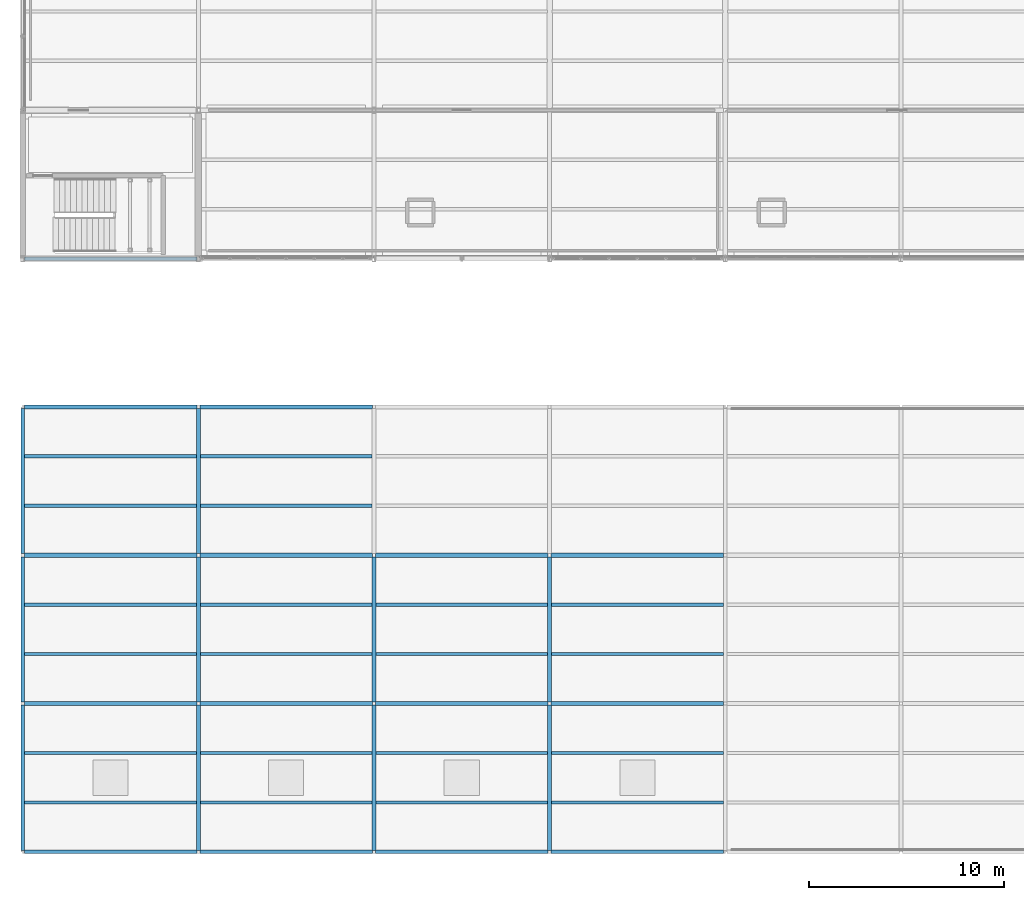
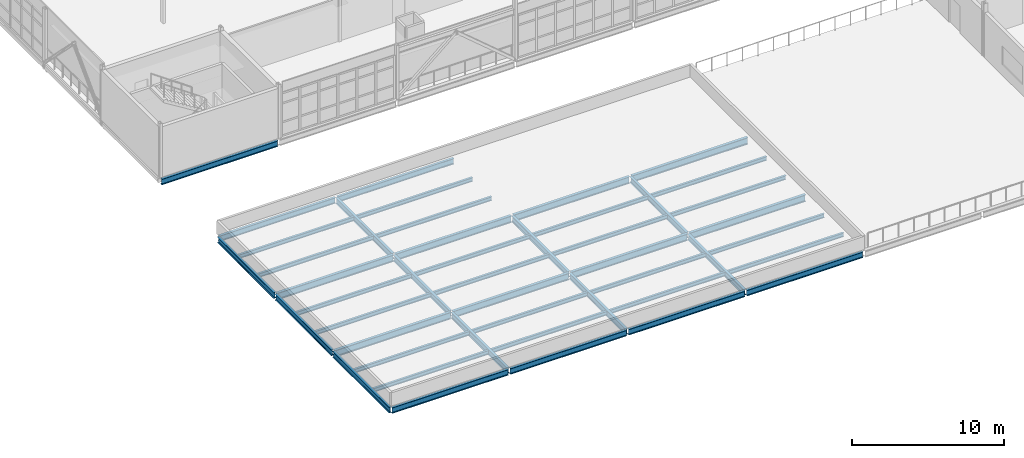
# One storey, part 25 of 166: 45 beams.
"""IFC4 building model written with IfcOpenShell, lengths in metres."""

from ifc_helpers import new_model, si_unit, direction, frame, origin, origin_2d, place, context, subcontext, project, spatial, i_section, extrude, material, material_profile, profile_set, type_object, element, save


model = new_model("IFC4")

# Units and contexts
model_context = context("Model", 3, precision=1e-05, world=origin(), true_north=direction((0.0, 1.0)))
body_context = subcontext(model_context, "Body", "Model", "MODEL_VIEW")
ifc_project = project(units=[si_unit("LENGTHUNIT", "METRE"), si_unit("AREAUNIT", "SQUARE_METRE"), si_unit("VOLUMEUNIT", "CUBIC_METRE"), si_unit("PLANEANGLEUNIT", "RADIAN"), si_unit("MASSUNIT", "GRAM", prefix="KILO")], contexts=[model_context])

# Site, building, storey
site_placement = place(None, origin())
site = spatial("IfcSite", under=ifc_project, at=site_placement, CompositionType="ELEMENT")
building_placement = place(site_placement, origin())
building = spatial("IfcBuilding", under=site, at=building_placement, Name="Caisbarro Railhouse Central Library", CompositionType="ELEMENT")
storey_placement = place(building_placement, frame((0.0, 0.0, 9.360107421875)))
storey = spatial("IfcBuildingStorey", under=building, at=storey_placement, Name="L02", CompositionType="ELEMENT", Elevation=9.360107421875)

# Beams
ifc_material = material(Name="Steel ASTM A572 Grade 50", Category="steel")
ifc_material_profile_1 = material_profile(ifc_material, i_section(OverallWidth=0.2119140625, OverallDepth=0.5439453125, WebThickness=0.01318359375, FlangeThickness=0.021240234375, FilletRadius=0.02001953125, at=origin_2d()), Name="W530X123.0")
ifc_profile_set_1 = profile_set([ifc_material_profile_1], Name="Steel ASTM A572 Grade 50")
beam_type_1 = type_object("IfcBeamType", Name="BM-G05", PredefinedType="BEAM", material=ifc_profile_set_1)
for number, where, z_axis, x_axis, name in (
    (1, (0.080078125, 7.60009765625, -0.4521484375), (1.0, 0.0, 0.0), (0.0, 1.0, 0.0), "G05 beam L02 #2257"),
    (2, (9.080078125, 7.60009765625, -0.4521484375), (1.0, 0.0, 0.0), (0.0, 1.0, 0.0), "G05 beam L02 #2258"),
    (3, (18.080078125, 7.60009765625, -0.4521484375), (1.0, 0.0, 0.0), (0.0, 1.0, 0.0), "G05 beam L02 #2259"),
    (4, (27.080078125, 7.60009765625, -0.4521484375), (1.0, 0.0, 0.0), (0.0, 1.0, 0.0), "G05 beam L02 #2260"),
    (5, (0.080078125, 15.199951171875, -0.4521484375), (1.0, 0.0, 0.0), (0.0, 1.0, 0.0), "G05 beam L02 #2261"),
    (6, (9.080078125, 15.199951171875, -0.4521484375), (1.0, 0.0, 0.0), (0.0, 1.0, 0.0), "G05 beam L02 #2262"),
    (7, (18.080078125, 15.199951171875, -0.4521484375), (1.0, 0.0, 0.0), (0.0, 1.0, 0.0), "G05 beam L02 #2263"),
    (8, (27.080078125, 15.199951171875, -0.4521484375), (1.0, 0.0, 0.0), (0.0, 1.0, 0.0), "G05 beam L02 #2264"),
):
    element("IfcBeam", number, at=place(storey_placement, frame(where, z_axis=z_axis, x_axis=x_axis)), inside=storey, type_object=beam_type_1, Name=name, PredefinedType="BEAM", context=body_context, shape_type="SweptSolid", body=[
        extrude(i_section(OverallWidth=0.2119140625, OverallDepth=0.5439453125, WebThickness=0.01318359375, FlangeThickness=0.021240234375, FilletRadius=0.02001953125, at=origin_2d()), origin(), (0.0, 0.0, 1.0), 8.83984375),
    ])
ifc_material_profile_2 = material_profile(ifc_material, i_section(OverallWidth=0.194091796875, OverallDepth=0.468994140625, WebThickness=0.0126953125, FlangeThickness=0.0205078125, FilletRadius=0.01806640625, at=origin_2d()), Name="W460X106.0")
ifc_profile_set_2 = profile_set([ifc_material_profile_2], Name="Steel ASTM A572 Grade 50")
beam_type_2 = type_object("IfcBeamType", Name="BM-G07", PredefinedType="BEAM", material=ifc_profile_set_2)
beam_1_placement = place(storey_placement, frame((0.0, 0.080078125, -0.41455078125), z_axis=(0.0, 1.0, 0.0), x_axis=(-1.0, 0.0, 0.0)))
element("IfcBeam", 9, at=beam_1_placement, inside=storey, type_object=beam_type_2, Name="G07 beam L02 #2269", PredefinedType="BEAM", context=body_context, shape_type="SweptSolid", body=[
    extrude(i_section(OverallWidth=0.194091796875, OverallDepth=0.468994140625, WebThickness=0.0126953125, FlangeThickness=0.0205078125, FilletRadius=0.01806640625, at=origin_2d()), origin(), (0.0, 0.0, 1.0), 7.43994140625),
])
beam_2_placement = place(storey_placement, frame((0.0, 7.679931640625, -0.41455078125), z_axis=(0.0, 1.0, 0.0), x_axis=(-1.0, 0.0, 0.0)))
element("IfcBeam", 10, at=beam_2_placement, inside=storey, type_object=beam_type_2, Name="G07 beam L02 #2270", PredefinedType="BEAM", context=body_context, shape_type="SweptSolid", body=[
    extrude(i_section(OverallWidth=0.194091796875, OverallDepth=0.468994140625, WebThickness=0.0126953125, FlangeThickness=0.0205078125, FilletRadius=0.01806640625, at=origin_2d()), origin(), (0.0, 0.0, 1.0), 7.440185546875),
])
for number, where, z_axis, x_axis, name in (
    (11, (0.0, 15.280029296875, -0.41455078125), (0.0, 1.0, 0.0), (-1.0, 0.0, 0.0), "G07 beam L02 #2271"),
    (12, (9.0, 0.080078125, -0.41455078125), (0.0, 1.0, 0.0), (-1.0, 0.0, 0.0), "G07 beam L02 #2272"),
):
    element("IfcBeam", number, at=place(storey_placement, frame(where, z_axis=z_axis, x_axis=x_axis)), inside=storey, type_object=beam_type_2, Name=name, PredefinedType="BEAM", context=body_context, shape_type="SweptSolid", body=[
        extrude(i_section(OverallWidth=0.194091796875, OverallDepth=0.468994140625, WebThickness=0.0126953125, FlangeThickness=0.0205078125, FilletRadius=0.01806640625, at=origin_2d()), origin(), (0.0, 0.0, 1.0), 7.43994140625),
    ])
beam_3_placement = place(storey_placement, frame((9.0, 7.679931640625, -0.41455078125), z_axis=(0.0, 1.0, 0.0), x_axis=(-1.0, 0.0, 0.0)))
element("IfcBeam", 13, at=beam_3_placement, inside=storey, type_object=beam_type_2, Name="G07 beam L02 #2273", PredefinedType="BEAM", context=body_context, shape_type="SweptSolid", body=[
    extrude(i_section(OverallWidth=0.194091796875, OverallDepth=0.468994140625, WebThickness=0.0126953125, FlangeThickness=0.0205078125, FilletRadius=0.01806640625, at=origin_2d()), origin(), (0.0, 0.0, 1.0), 7.440185546875),
])
for number, where, z_axis, x_axis, name in (
    (14, (9.0, 15.280029296875, -0.41455078125), (0.0, 1.0, 0.0), (-1.0, 0.0, 0.0), "G07 beam L02 #2274"),
    (15, (18.0, 0.080078125, -0.41455078125), (0.0, 1.0, 0.0), (-1.0, 0.0, 0.0), "G07 beam L02 #2275"),
):
    element("IfcBeam", number, at=place(storey_placement, frame(where, z_axis=z_axis, x_axis=x_axis)), inside=storey, type_object=beam_type_2, Name=name, PredefinedType="BEAM", context=body_context, shape_type="SweptSolid", body=[
        extrude(i_section(OverallWidth=0.194091796875, OverallDepth=0.468994140625, WebThickness=0.0126953125, FlangeThickness=0.0205078125, FilletRadius=0.01806640625, at=origin_2d()), origin(), (0.0, 0.0, 1.0), 7.43994140625),
    ])
beam_4_placement = place(storey_placement, frame((18.0, 7.679931640625, -0.41455078125), z_axis=(0.0, 1.0, 0.0), x_axis=(-1.0, 0.0, 0.0)))
element("IfcBeam", 16, at=beam_4_placement, inside=storey, type_object=beam_type_2, Name="G07 beam L02 #2276", PredefinedType="BEAM", context=body_context, shape_type="SweptSolid", body=[
    extrude(i_section(OverallWidth=0.194091796875, OverallDepth=0.468994140625, WebThickness=0.0126953125, FlangeThickness=0.0205078125, FilletRadius=0.01806640625, at=origin_2d()), origin(), (0.0, 0.0, 1.0), 7.440185546875),
])
beam_5_placement = place(storey_placement, frame((27.0, 0.080078125, -0.41455078125), z_axis=(0.0, 1.0, 0.0), x_axis=(-1.0, 0.0, 0.0)))
element("IfcBeam", 17, at=beam_5_placement, inside=storey, type_object=beam_type_2, Name="G07 beam L02 #2278", PredefinedType="BEAM", context=body_context, shape_type="SweptSolid", body=[
    extrude(i_section(OverallWidth=0.194091796875, OverallDepth=0.468994140625, WebThickness=0.0126953125, FlangeThickness=0.0205078125, FilletRadius=0.01806640625, at=origin_2d()), origin(), (0.0, 0.0, 1.0), 7.43994140625),
])
beam_6_placement = place(storey_placement, frame((27.0, 7.679931640625, -0.41455078125), z_axis=(0.0, 1.0, 0.0), x_axis=(-1.0, 0.0, 0.0)))
element("IfcBeam", 18, at=beam_6_placement, inside=storey, type_object=beam_type_2, Name="G07 beam L02 #2279", PredefinedType="BEAM", context=body_context, shape_type="SweptSolid", body=[
    extrude(i_section(OverallWidth=0.194091796875, OverallDepth=0.468994140625, WebThickness=0.0126953125, FlangeThickness=0.0205078125, FilletRadius=0.01806640625, at=origin_2d()), origin(), (0.0, 0.0, 1.0), 7.440185546875),
])
ifc_material_profile_3 = material_profile(ifc_material, i_section(OverallWidth=0.1669921875, OverallDepth=0.31689453125, WebThickness=0.007568359375, FlangeThickness=0.01318359375, FilletRadius=0.011962890625, at=origin_2d()), Name="W310X52.0")
ifc_profile_set_3 = profile_set([ifc_material_profile_3], Name="Steel ASTM A572 Grade 50")
beam_type_3 = type_object("IfcBeamType", Name="BM-J02", PredefinedType="JOIST", material=ifc_profile_set_3)
for number, where, z_axis, x_axis, name in (
    (19, (0.096923828125, 2.533203125, -0.338623046875), (1.0, 0.0, 0.0), (0.0, 1.0, 0.0), "J02 beam L02 #2281"),
    (20, (0.096923828125, 5.066650390625, -0.338623046875), (1.0, 0.0, 0.0), (0.0, 1.0, 0.0), "J02 beam L02 #2282"),
    (21, (0.096923828125, 10.13330078125, -0.338623046875), (1.0, 0.0, 0.0), (0.0, 1.0, 0.0), "J02 beam L02 #2283"),
    (22, (0.096923828125, 12.666748046875, -0.338623046875), (1.0, 0.0, 0.0), (0.0, 1.0, 0.0), "J02 beam L02 #2284"),
    (23, (0.096923828125, 17.7333984375, -0.338623046875), (1.0, 0.0, 0.0), (0.0, 1.0, 0.0), "J02 beam L02 #2285"),
    (24, (0.096923828125, 20.2666015625, -0.338623046875), (1.0, 0.0, 0.0), (0.0, 1.0, 0.0), "J02 beam L02 #2286"),
    (25, (9.096923828125, 2.533203125, -0.338623046875), (1.0, 0.0, 0.0), (0.0, 1.0, 0.0), "J02 beam L02 #2287"),
    (26, (9.096923828125, 5.066650390625, -0.338623046875), (1.0, 0.0, 0.0), (0.0, 1.0, 0.0), "J02 beam L02 #2288"),
    (27, (9.096923828125, 10.13330078125, -0.338623046875), (1.0, 0.0, 0.0), (0.0, 1.0, 0.0), "J02 beam L02 #2289"),
    (28, (9.096923828125, 12.666748046875, -0.338623046875), (1.0, 0.0, 0.0), (0.0, 1.0, 0.0), "J02 beam L02 #2290"),
    (29, (9.096923828125, 17.7333984375, -0.338623046875), (1.0, 0.0, 0.0), (0.0, 1.0, 0.0), "J02 beam L02 #2291"),
    (30, (9.096923828125, 20.2666015625, -0.338623046875), (1.0, 0.0, 0.0), (0.0, 1.0, 0.0), "J02 beam L02 #2292"),
    (31, (18.096923828125, 2.533203125, -0.338623046875), (1.0, 0.0, 0.0), (0.0, 1.0, 0.0), "J02 beam L02 #2293"),
    (32, (18.096923828125, 5.066650390625, -0.338623046875), (1.0, 0.0, 0.0), (0.0, 1.0, 0.0), "J02 beam L02 #2294"),
    (33, (18.096923828125, 10.13330078125, -0.338623046875), (1.0, 0.0, 0.0), (0.0, 1.0, 0.0), "J02 beam L02 #2295"),
    (34, (18.096923828125, 12.666748046875, -0.338623046875), (1.0, 0.0, 0.0), (0.0, 1.0, 0.0), "J02 beam L02 #2296"),
    (35, (27.096923828125, 2.533203125, -0.338623046875), (1.0, 0.0, 0.0), (0.0, 1.0, 0.0), "J02 beam L02 #2299"),
    (36, (27.096923828125, 5.066650390625, -0.338623046875), (1.0, 0.0, 0.0), (0.0, 1.0, 0.0), "J02 beam L02 #2300"),
    (37, (27.096923828125, 10.13330078125, -0.338623046875), (1.0, 0.0, 0.0), (0.0, 1.0, 0.0), "J02 beam L02 #2301"),
    (38, (27.096923828125, 12.666748046875, -0.338623046875), (1.0, 0.0, 0.0), (0.0, 1.0, 0.0), "J02 beam L02 #2302"),
):
    element("IfcBeam", number, at=place(storey_placement, frame(where, z_axis=z_axis, x_axis=x_axis)), inside=storey, type_object=beam_type_3, Name=name, PredefinedType="JOIST", context=body_context, shape_type="SweptSolid", body=[
        extrude(i_section(OverallWidth=0.1669921875, OverallDepth=0.31689453125, WebThickness=0.007568359375, FlangeThickness=0.01318359375, FilletRadius=0.011962890625, at=origin_2d()), origin(), (0.0, 0.0, 1.0), 8.80615234375),
    ])
ifc_material_profile_4 = material_profile(ifc_material, i_section(OverallWidth=0.18994140625, OverallDepth=0.45703125, WebThickness=0.009033203125, FlangeThickness=0.014404296875, FilletRadius=0.01806640625, at=origin_2d()), Name="W460X74.0")
ifc_profile_set_4 = profile_set([ifc_material_profile_4], Name="Steel ASTM A572 Grade 50")
beam_type_4 = type_object("IfcBeamType", Name="BM-SP01", PredefinedType="SPANDREL", material=ifc_profile_set_4)
for number, where, z_axis, x_axis, name in (
    (39, (0.080078125, 30.39990234375, -0.448486328125), (1.0, 0.0, 0.0), (0.0, 1.0, 0.0), "SP01 beam L02 #1351"),
    (40, (0.080078125, 0.0, -0.40869140625), (1.0, 0.0, 0.0), (0.0, 1.0, 0.0), "SP01 beam L02 #2253"),
    (41, (9.080078125, 0.0, -0.40869140625), (1.0, 0.0, 0.0), (0.0, 1.0, 0.0), "SP01 beam L02 #2254"),
    (42, (18.080078125, 0.0, -0.40869140625), (1.0, 0.0, 0.0), (0.0, 1.0, 0.0), "SP01 beam L02 #2255"),
    (43, (27.080078125, 0.0, -0.40869140625), (1.0, 0.0, 0.0), (0.0, 1.0, 0.0), "SP01 beam L02 #2256"),
    (44, (0.080078125, 22.800048828125, -0.40869140625), (1.0, 0.0, 0.0), (0.0, 1.0, 0.0), "SP01 beam L02 #2265"),
    (45, (9.080078125, 22.800048828125, -0.40869140625), (1.0, 0.0, 0.0), (0.0, 1.0, 0.0), "SP01 beam L02 #2266"),
):
    element("IfcBeam", number, at=place(storey_placement, frame(where, z_axis=z_axis, x_axis=x_axis)), inside=storey, type_object=beam_type_4, Name=name, PredefinedType="SPANDREL", context=body_context, shape_type="SweptSolid", body=[
        extrude(i_section(OverallWidth=0.18994140625, OverallDepth=0.45703125, WebThickness=0.009033203125, FlangeThickness=0.014404296875, FilletRadius=0.01806640625, at=origin_2d()), origin(), (0.0, 0.0, 1.0), 8.83984375),
    ])

save(model, "model.ifc")
